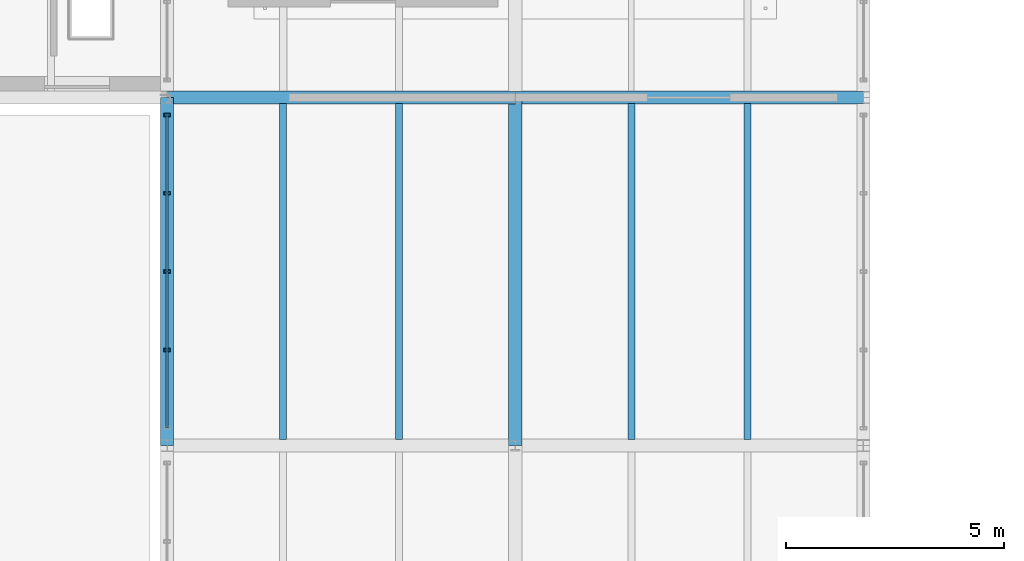
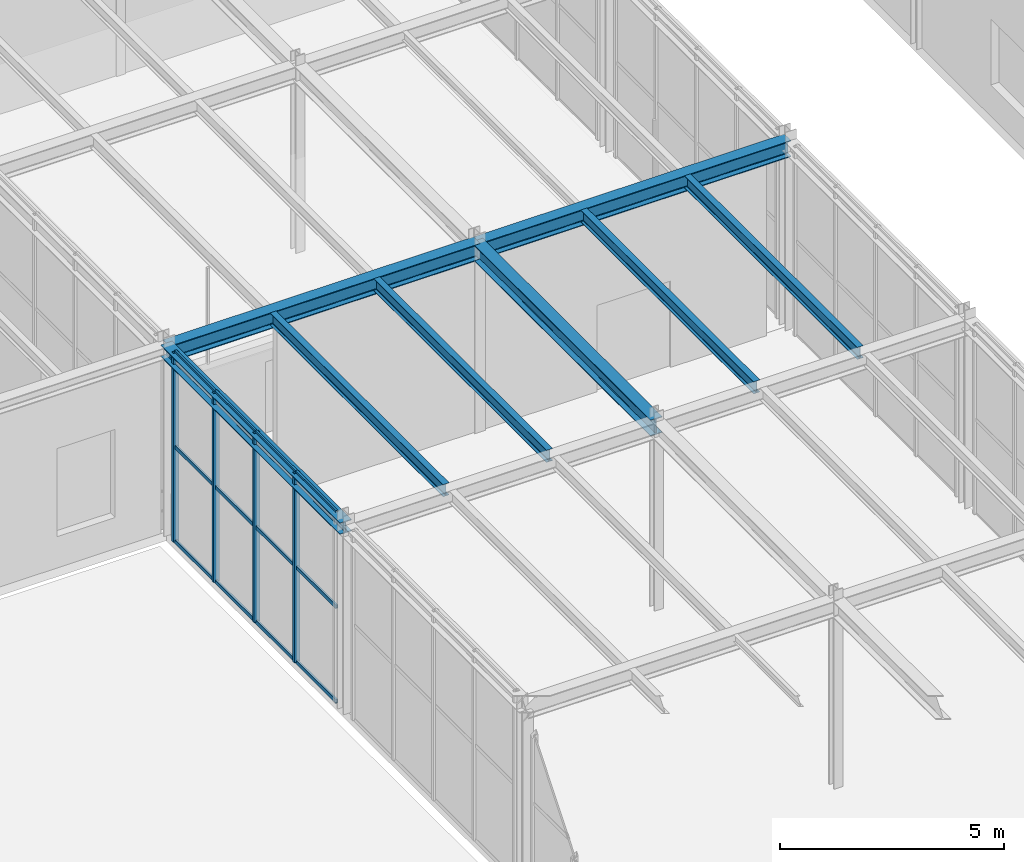
# One storey, part 44 of 129: 16 members, 8 beams, 1 element without a shape of its own.
"""IFC4 building model written with IfcOpenShell, lengths in metres."""

from ifc_helpers import new_model, si_unit, direction, frame, origin, origin_2d, place, context, subcontext, project, spatial, hollow_rectangle, i_section, extrude, material, material_profile, profile_set, type_object, element, aggregate, save


model = new_model("IFC4")

# Units and contexts
model_context = context("Model", 3, precision=1e-05, world=origin(), true_north=direction((0.0, 1.0)))
body_context = subcontext(model_context, "Body", "Model", "MODEL_VIEW")
ifc_project = project(units=[si_unit("LENGTHUNIT", "METRE"), si_unit("AREAUNIT", "SQUARE_METRE"), si_unit("VOLUMEUNIT", "CUBIC_METRE"), si_unit("PLANEANGLEUNIT", "RADIAN"), si_unit("MASSUNIT", "GRAM", prefix="KILO")], contexts=[model_context])

# Site, building, storey
site_placement = place(None, origin())
site = spatial("IfcSite", under=ifc_project, at=site_placement, CompositionType="ELEMENT")
building_placement = place(site_placement, origin())
building = spatial("IfcBuilding", under=site, at=building_placement, Name="Sundkrona Museum", CompositionType="ELEMENT")
storey_placement = place(building_placement, origin())
storey = spatial("IfcBuildingStorey", under=building, at=storey_placement, Name="L00", CompositionType="ELEMENT", Elevation=0.0)

# Beams
ifc_material_1 = material(Name="Steel S355J2", Category="steel")
ifc_material_profile_1 = material_profile(ifc_material_1, i_section(OverallWidth=0.300048828125, OverallDepth=0.43994140625, WebThickness=0.011474609375, FlangeThickness=0.02099609375, FilletRadius=0.027099609375, at=origin_2d()), Name="HEA 450")
ifc_profile_set_1 = profile_set([ifc_material_profile_1], Name="Steel S355J2")
beam_type_1 = type_object("IfcBeamType", Name="B-HEA450", PredefinedType="BEAM", material=ifc_profile_set_1)
for number, where, z_axis, x_axis, name in (
    (1, (80.0, 78.0, 4.919921875), (1.0, 0.0, 0.0), (0.0, 1.0, 0.0), "L00 Girder X-0525"),
    (2, (88.0, 78.0, 4.919921875), (1.0, 0.0, 0.0), (0.0, 1.0, 0.0), "L00 Girder X-0526"),
    (3, (88.0, 70.0, 4.919921875), (0.0, 1.0, 0.0), (-1.0, 0.0, 0.0), "L00 Girder Y-0695"),
):
    element("IfcBeam", number, at=place(storey_placement, frame(where, z_axis=z_axis, x_axis=x_axis)), inside=storey, type_object=beam_type_1, Name=name, PredefinedType="BEAM", context=body_context, shape_type="SweptSolid", body=[
        extrude(i_section(OverallWidth=0.300048828125, OverallDepth=0.43994140625, WebThickness=0.011474609375, FlangeThickness=0.02099609375, FilletRadius=0.027099609375, at=origin_2d()), origin(), (0.0, 0.0, 1.0), 8.0),
    ])
ifc_material_profile_2 = material_profile(ifc_material_1, i_section(OverallWidth=0.159912109375, OverallDepth=0.330078125, WebThickness=0.007568359375, FlangeThickness=0.011474609375, FilletRadius=0.01806640625, at=origin_2d()), Name="IPE 330")
ifc_profile_set_2 = profile_set([ifc_material_profile_2], Name="Steel S355J2")
beam_type_2 = type_object("IfcBeamType", Name="J-IPE330", PredefinedType="JOIST", material=ifc_profile_set_2)
for number, where, z_axis, x_axis, name in (
    (4, (82.666748046875, 70.14404296875, 4.97509765625), (0.0, 1.0, 0.0), (-1.0, 0.0, 0.0), "L00 Composite Joist 0403"),
    (5, (85.333251953125, 70.14404296875, 4.97509765625), (0.0, 1.0, 0.0), (-1.0, 0.0, 0.0), "L00 Composite Joist 0404"),
    (6, (90.666748046875, 70.14404296875, 4.97509765625), (0.0, 1.0, 0.0), (-1.0, 0.0, 0.0), "L00 Composite Joist 0423"),
    (7, (93.333251953125, 70.14404296875, 4.97509765625), (0.0, 1.0, 0.0), (-1.0, 0.0, 0.0), "L00 Composite Joist 0424"),
):
    element("IfcBeam", number, at=place(storey_placement, frame(where, z_axis=z_axis, x_axis=x_axis)), inside=storey, type_object=beam_type_2, Name=name, PredefinedType="JOIST", context=body_context, shape_type="SweptSolid", body=[
        extrude(i_section(OverallWidth=0.159912109375, OverallDepth=0.330078125, WebThickness=0.007568359375, FlangeThickness=0.011474609375, FilletRadius=0.01806640625, at=origin_2d()), origin(), (0.0, 0.0, 1.0), 7.7119140625),
    ])

# Curtain wall, members
ifc_material_2 = material(Name="Unitised Aluminium-Steel and Ceramic-Clad Curtain Walling", Category="steel")
curtain_wall_type = type_object("IfcCurtainWallType", Name="CW-PS-74x48", PredefinedType="NOTDEFINED", material=ifc_material_2)
curtain_wall_placement = place(storey_placement, origin())
curtain_wall = element("IfcCurtainWall", 8, at=curtain_wall_placement, inside=storey, type_object=curtain_wall_type, Name="L00 Curtain Wall CW-L00-100", PredefinedType="NOTDEFINED")
ifc_material_3 = material(Name="Aluminium EN AW-6060 T66", Category="aluminium")
ifc_material_profile_3 = material_profile(ifc_material_3, hollow_rectangle(XDim=0.074951171875, YDim=0.14990234375, WallThickness=0.00634765625, at=origin_2d()), Name="RHS 150x75x6.3")
ifc_profile_set_3 = profile_set([ifc_material_profile_3], Name="Aluminium EN AW-6060 T66")
member_type_1 = type_object("IfcMemberType", Name="ML-150", PredefinedType="MULLION", material=ifc_profile_set_3)
member_1_placement = place(storey_placement, frame((80.0, 72.199951171875, -0.00390625), z_axis=(0.0, 0.0, 1.0), x_axis=(0.0, 1.0, 0.0)))
member_1 = element("IfcMember", 9, at=member_1_placement, type_object=member_type_1, Name="CW-L00-100 Mullion 02", PredefinedType="MULLION", context=body_context, shape_type="SweptSolid", body=[
    extrude(hollow_rectangle(XDim=0.074951171875, YDim=0.14990234375, WallThickness=0.00634765625, at=origin_2d()), origin(), (0.0, 0.0, 1.0), 5.14794921875),
])
member_2_placement = place(storey_placement, frame((80.0, 74.0, -0.00390625), z_axis=(0.0, 0.0, 1.0), x_axis=(0.0, 1.0, 0.0)))
member_2 = element("IfcMember", 10, at=member_2_placement, type_object=member_type_1, Name="CW-L00-100 Mullion 03", PredefinedType="MULLION", context=body_context, shape_type="SweptSolid", body=[
    extrude(hollow_rectangle(XDim=0.074951171875, YDim=0.14990234375, WallThickness=0.00634765625, at=origin_2d()), origin(), (0.0, 0.0, 1.0), 5.14794921875),
])
member_3_placement = place(storey_placement, frame((80.0, 75.800048828125, -0.00390625), z_axis=(0.0, 0.0, 1.0), x_axis=(0.0, 1.0, 0.0)))
member_3 = element("IfcMember", 11, at=member_3_placement, type_object=member_type_1, Name="CW-L00-100 Mullion 04", PredefinedType="MULLION", context=body_context, shape_type="SweptSolid", body=[
    extrude(hollow_rectangle(XDim=0.074951171875, YDim=0.14990234375, WallThickness=0.00634765625, at=origin_2d()), origin(), (0.0, 0.0, 1.0), 5.14794921875),
])
member_4_placement = place(storey_placement, frame((80.0, 77.60009765625, -0.00390625), z_axis=(0.0, 0.0, 1.0), x_axis=(0.0, 1.0, 0.0)))
member_4 = element("IfcMember", 12, at=member_4_placement, type_object=member_type_1, Name="CW-L00-100 Mullion 05", PredefinedType="MULLION", context=body_context, shape_type="SweptSolid", body=[
    extrude(hollow_rectangle(XDim=0.074951171875, YDim=0.14990234375, WallThickness=0.00634765625, at=origin_2d()), origin(), (0.0, 0.0, 1.0), 5.14794921875),
])

# Beam
ifc_material_profile_4 = material_profile(ifc_material_1, i_section(OverallWidth=0.300048828125, OverallDepth=0.320068359375, WebThickness=0.011474609375, FlangeThickness=0.0205078125, FilletRadius=0.027099609375, at=origin_2d()), Name="HEB 320")
ifc_profile_set_4 = profile_set([ifc_material_profile_4], Name="Steel S355J2")
beam_type_3 = type_object("IfcBeamType", Name="SP-HEB320", PredefinedType="SPANDREL", material=ifc_profile_set_4)
beam_placement = place(storey_placement, frame((80.0, 70.0, 4.97998046875), z_axis=(0.0, 1.0, 0.0), x_axis=(-1.0, 0.0, 0.0)))
element("IfcBeam", 13, at=beam_placement, inside=storey, type_object=beam_type_3, Name="L00 Girder Y-0680", PredefinedType="SPANDREL", context=body_context, shape_type="SweptSolid", body=[
    extrude(i_section(OverallWidth=0.300048828125, OverallDepth=0.320068359375, WebThickness=0.011474609375, FlangeThickness=0.0205078125, FilletRadius=0.027099609375, at=origin_2d()), origin(), (0.0, 0.0, 1.0), 8.0),
])

# Member
ifc_material_profile_5 = material_profile(ifc_material_3, hollow_rectangle(XDim=0.050048828125, YDim=0.10009765625, WallThickness=0.0048828125, at=origin_2d()), Name="RHS 100x50x5.0")
ifc_profile_set_5 = profile_set([ifc_material_profile_5], Name="Aluminium EN AW-6060 T66")
member_type_2 = type_object("IfcMemberType", Name="TR-100", PredefinedType="USERDEFINED", material=ifc_profile_set_5)
member_5_placement = place(storey_placement, frame((80.0, 70.39990234375, -0.00390625), z_axis=(0.0, 1.0, 0.0), x_axis=(-1.0, 0.0, 0.0)))
member_5 = element("IfcMember", 14, at=member_5_placement, type_object=member_type_2, Name="CW-L00-100 Transom 01", ObjectType="TRANSOM", PredefinedType="USERDEFINED", context=body_context, shape_type="SweptSolid", body=[
    extrude(hollow_rectangle(XDim=0.050048828125, YDim=0.10009765625, WallThickness=0.0048828125, at=origin_2d()), origin(), (0.0, 0.0, 1.0), 1.800048828125),
])

member_6_placement = place(storey_placement, frame((80.0, 70.39990234375, 2.570068359375), z_axis=(0.0, 1.0, 0.0), x_axis=(-1.0, 0.0, 0.0)))
member_6 = element("IfcMember", 15, at=member_6_placement, type_object=member_type_2, Name="CW-L00-100 Transom 02", ObjectType="TRANSOM", PredefinedType="USERDEFINED", context=body_context, shape_type="SweptSolid", body=[
    extrude(hollow_rectangle(XDim=0.050048828125, YDim=0.10009765625, WallThickness=0.0048828125, at=origin_2d()), origin(), (0.0, 0.0, 1.0), 1.800048828125),
])

member_7_placement = place(storey_placement, frame((80.0, 70.39990234375, 5.14404296875), z_axis=(0.0, 1.0, 0.0), x_axis=(-1.0, 0.0, 0.0)))
member_7 = element("IfcMember", 16, at=member_7_placement, type_object=member_type_2, Name="CW-L00-100 Transom 03", ObjectType="TRANSOM", PredefinedType="USERDEFINED", context=body_context, shape_type="SweptSolid", body=[
    extrude(hollow_rectangle(XDim=0.050048828125, YDim=0.10009765625, WallThickness=0.0048828125, at=origin_2d()), origin(), (0.0, 0.0, 1.0), 1.800048828125),
])

member_8_placement = place(storey_placement, frame((80.0, 72.199951171875, -0.00390625), z_axis=(0.0, 1.0, 0.0), x_axis=(-1.0, 0.0, 0.0)))
member_8 = element("IfcMember", 17, at=member_8_placement, type_object=member_type_2, Name="CW-L00-100 Transom 04", ObjectType="TRANSOM", PredefinedType="USERDEFINED", context=body_context, shape_type="SweptSolid", body=[
    extrude(hollow_rectangle(XDim=0.050048828125, YDim=0.10009765625, WallThickness=0.0048828125, at=origin_2d()), origin(), (0.0, 0.0, 1.0), 1.800048828125),
])

member_9_placement = place(storey_placement, frame((80.0, 72.199951171875, 2.570068359375), z_axis=(0.0, 1.0, 0.0), x_axis=(-1.0, 0.0, 0.0)))
member_9 = element("IfcMember", 18, at=member_9_placement, type_object=member_type_2, Name="CW-L00-100 Transom 05", ObjectType="TRANSOM", PredefinedType="USERDEFINED", context=body_context, shape_type="SweptSolid", body=[
    extrude(hollow_rectangle(XDim=0.050048828125, YDim=0.10009765625, WallThickness=0.0048828125, at=origin_2d()), origin(), (0.0, 0.0, 1.0), 1.800048828125),
])

member_10_placement = place(storey_placement, frame((80.0, 72.199951171875, 5.14404296875), z_axis=(0.0, 1.0, 0.0), x_axis=(-1.0, 0.0, 0.0)))
member_10 = element("IfcMember", 19, at=member_10_placement, type_object=member_type_2, Name="CW-L00-100 Transom 06", ObjectType="TRANSOM", PredefinedType="USERDEFINED", context=body_context, shape_type="SweptSolid", body=[
    extrude(hollow_rectangle(XDim=0.050048828125, YDim=0.10009765625, WallThickness=0.0048828125, at=origin_2d()), origin(), (0.0, 0.0, 1.0), 1.800048828125),
])

member_11_placement = place(storey_placement, frame((80.0, 74.0, -0.00390625), z_axis=(0.0, 1.0, 0.0), x_axis=(-1.0, 0.0, 0.0)))
member_11 = element("IfcMember", 20, at=member_11_placement, type_object=member_type_2, Name="CW-L00-100 Transom 07", ObjectType="TRANSOM", PredefinedType="USERDEFINED", context=body_context, shape_type="SweptSolid", body=[
    extrude(hollow_rectangle(XDim=0.050048828125, YDim=0.10009765625, WallThickness=0.0048828125, at=origin_2d()), origin(), (0.0, 0.0, 1.0), 1.800048828125),
])

member_12_placement = place(storey_placement, frame((80.0, 74.0, 2.570068359375), z_axis=(0.0, 1.0, 0.0), x_axis=(-1.0, 0.0, 0.0)))
member_12 = element("IfcMember", 21, at=member_12_placement, type_object=member_type_2, Name="CW-L00-100 Transom 08", ObjectType="TRANSOM", PredefinedType="USERDEFINED", context=body_context, shape_type="SweptSolid", body=[
    extrude(hollow_rectangle(XDim=0.050048828125, YDim=0.10009765625, WallThickness=0.0048828125, at=origin_2d()), origin(), (0.0, 0.0, 1.0), 1.800048828125),
])

member_13_placement = place(storey_placement, frame((80.0, 74.0, 5.14404296875), z_axis=(0.0, 1.0, 0.0), x_axis=(-1.0, 0.0, 0.0)))
member_13 = element("IfcMember", 22, at=member_13_placement, type_object=member_type_2, Name="CW-L00-100 Transom 09", ObjectType="TRANSOM", PredefinedType="USERDEFINED", context=body_context, shape_type="SweptSolid", body=[
    extrude(hollow_rectangle(XDim=0.050048828125, YDim=0.10009765625, WallThickness=0.0048828125, at=origin_2d()), origin(), (0.0, 0.0, 1.0), 1.800048828125),
])

member_14_placement = place(storey_placement, frame((80.0, 75.800048828125, -0.00390625), z_axis=(0.0, 1.0, 0.0), x_axis=(-1.0, 0.0, 0.0)))
member_14 = element("IfcMember", 23, at=member_14_placement, type_object=member_type_2, Name="CW-L00-100 Transom 10", ObjectType="TRANSOM", PredefinedType="USERDEFINED", context=body_context, shape_type="SweptSolid", body=[
    extrude(hollow_rectangle(XDim=0.050048828125, YDim=0.10009765625, WallThickness=0.0048828125, at=origin_2d()), origin(), (0.0, 0.0, 1.0), 1.800048828125),
])

member_15_placement = place(storey_placement, frame((80.0, 75.800048828125, 2.570068359375), z_axis=(0.0, 1.0, 0.0), x_axis=(-1.0, 0.0, 0.0)))
member_15 = element("IfcMember", 24, at=member_15_placement, type_object=member_type_2, Name="CW-L00-100 Transom 11", ObjectType="TRANSOM", PredefinedType="USERDEFINED", context=body_context, shape_type="SweptSolid", body=[
    extrude(hollow_rectangle(XDim=0.050048828125, YDim=0.10009765625, WallThickness=0.0048828125, at=origin_2d()), origin(), (0.0, 0.0, 1.0), 1.800048828125),
])

member_16_placement = place(storey_placement, frame((80.0, 75.800048828125, 5.14404296875), z_axis=(0.0, 1.0, 0.0), x_axis=(-1.0, 0.0, 0.0)))
member_16 = element("IfcMember", 25, at=member_16_placement, type_object=member_type_2, Name="CW-L00-100 Transom 12", ObjectType="TRANSOM", PredefinedType="USERDEFINED", context=body_context, shape_type="SweptSolid", body=[
    extrude(hollow_rectangle(XDim=0.050048828125, YDim=0.10009765625, WallThickness=0.0048828125, at=origin_2d()), origin(), (0.0, 0.0, 1.0), 1.800048828125),
])

aggregate(curtain_wall, [member_1, member_2, member_3, member_4, member_5, member_6, member_7, member_8, member_9, member_10, member_11, member_12, member_13, member_14, member_15, member_16])

save(model, "model.ifc")
